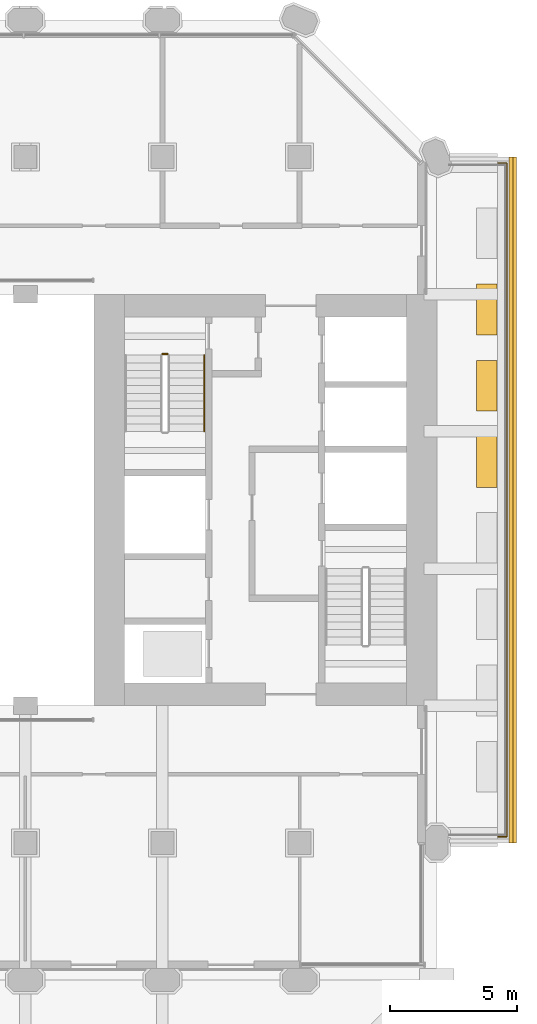
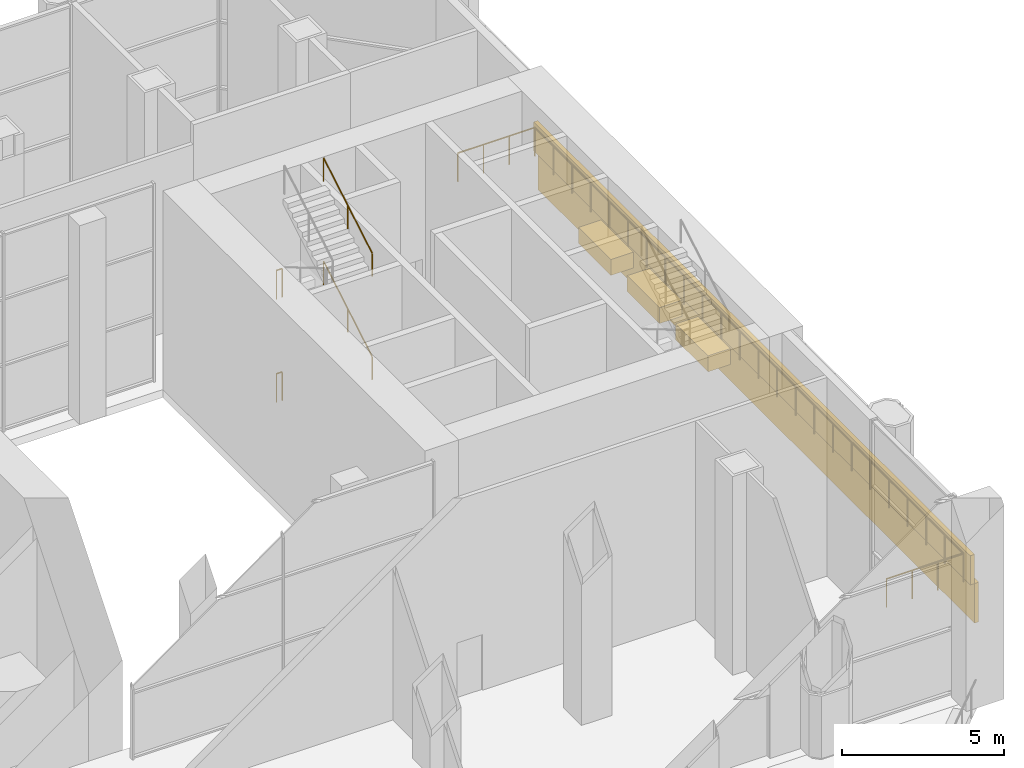
# One storey, part 17 of 20: 5 coverings, 5 railings.
"""IFC4 building model written with IfcOpenShell, lengths in metres."""

from ifc_helpers import new_model, si_unit, direction, frame, frame_2d, origin, origin_2d, place, context, subcontext, project, spatial, rectangle, circle, extrude, material, layer, layer_set, type_object, element, save


model = new_model("IFC4")

# Units and contexts
model_context = context("Model", 3, precision=1e-05, world=origin(), true_north=direction((0.0, 1.0)))
body_context = subcontext(model_context, "Body", "Model", "MODEL_VIEW")
ifc_project = project(units=[si_unit("LENGTHUNIT", "METRE"), si_unit("AREAUNIT", "SQUARE_METRE"), si_unit("VOLUMEUNIT", "CUBIC_METRE"), si_unit("PLANEANGLEUNIT", "RADIAN"), si_unit("MASSUNIT", "GRAM", prefix="KILO")], contexts=[model_context])

# Site, building, storey
site_placement = place(None, origin())
site = spatial("IfcSite", under=ifc_project, at=site_placement, CompositionType="ELEMENT")
building_placement = place(site_placement, origin())
building = spatial("IfcBuilding", under=site, at=building_placement, Name="Tabaq Tower and Sports Hall", CompositionType="ELEMENT")
storey_placement = place(building_placement, frame((0.0, 0.0, 130.60009765625)))
storey = spatial("IfcBuildingStorey", under=building, at=storey_placement, Name="L31", CompositionType="ELEMENT", Elevation=130.60009765625)

# Railing
ifc_material_1 = material(Name="Stainless steel S316 and laminated glass", Category="steel")
railing_type_1 = type_object("IfcRailingType", Name="Guard 1100 steel and glass", PredefinedType="GUARDRAIL", material=ifc_material_1)
railing_placement = place(storey_placement, frame((43.199951171875, 11.050048828125, 0.0)))
element("IfcRailing", 1, at=railing_placement, inside=storey, type_object=railing_type_1, Name="Tray guard L31", PredefinedType="GUARDRAIL", context=body_context, shape_type="SweptSolid", body=[
    extrude(circle(Radius=0.02490234375, at=origin_2d()), frame((0.0, 0.0, 1.0751953125), z_axis=(1.0, 0.0, 0.0), x_axis=(0.0, 1.0, 0.0)), (0.0, 0.0, 1.0), 2.75),
    extrude(circle(Radius=0.02490234375, at=origin_2d()), frame((2.75, 0.0, 1.0751953125), z_axis=(0.0, 1.0, 0.0), x_axis=(-1.0, 0.0, 0.0)), (0.0, 0.0, 1.0), 26.5),
    extrude(circle(Radius=0.02490234375, at=origin_2d()), frame((2.75, 26.5, 1.0751953125), z_axis=(-1.0, 0.0, 0.0), x_axis=(0.0, -1.0, 0.0)), (0.0, 0.0, 1.0), 2.75),
    extrude(circle(Radius=0.02001953125, at=origin_2d()), origin(), (0.0, 0.0, 1.0), 1.050048828125),
    extrude(circle(Radius=0.02001953125, at=origin_2d()), frame((0.916748046875, 0.0, 0.0)), (0.0, 0.0, 1.0), 1.050048828125),
    extrude(circle(Radius=0.02001953125, at=origin_2d()), frame((1.833251953125, 0.0, 0.0)), (0.0, 0.0, 1.0), 1.050048828125),
    extrude(circle(Radius=0.02001953125, at=origin_2d()), frame((2.75, 0.0, 0.0)), (0.0, 0.0, 1.0), 1.050048828125),
    extrude(circle(Radius=0.02001953125, at=origin_2d()), frame((2.75, 1.152099609375, 0.0)), (0.0, 0.0, 1.0), 1.050048828125),
    extrude(circle(Radius=0.02001953125, at=origin_2d()), frame((2.75, 2.304443359375, 0.0)), (0.0, 0.0, 1.0), 1.050048828125),
    extrude(circle(Radius=0.02001953125, at=origin_2d()), frame((2.75, 3.45654296875, 0.0)), (0.0, 0.0, 1.0), 1.050048828125),
    extrude(circle(Radius=0.02001953125, at=origin_2d()), frame((2.75, 4.608642578125, 0.0)), (0.0, 0.0, 1.0), 1.050048828125),
    extrude(circle(Radius=0.02001953125, at=origin_2d()), frame((2.75, 5.760986328125, 0.0)), (0.0, 0.0, 1.0), 1.050048828125),
    extrude(circle(Radius=0.02001953125, at=origin_2d()), frame((2.75, 6.9130859375, 0.0)), (0.0, 0.0, 1.0), 1.050048828125),
    extrude(circle(Radius=0.02001953125, at=origin_2d()), frame((2.75, 8.065185546875, 0.0)), (0.0, 0.0, 1.0), 1.050048828125),
    extrude(circle(Radius=0.02001953125, at=origin_2d()), frame((2.75, 9.21728515625, 0.0)), (0.0, 0.0, 1.0), 1.050048828125),
    extrude(circle(Radius=0.02001953125, at=origin_2d()), frame((2.75, 10.36962890625, 0.0)), (0.0, 0.0, 1.0), 1.050048828125),
    extrude(circle(Radius=0.02001953125, at=origin_2d()), frame((2.75, 11.521728515625, 0.0)), (0.0, 0.0, 1.0), 1.050048828125),
    extrude(circle(Radius=0.02001953125, at=origin_2d()), frame((2.75, 12.673828125, 0.0)), (0.0, 0.0, 1.0), 1.050048828125),
    extrude(circle(Radius=0.02001953125, at=origin_2d()), frame((2.75, 13.826171875, 0.0)), (0.0, 0.0, 1.0), 1.050048828125),
    extrude(circle(Radius=0.02001953125, at=origin_2d()), frame((2.75, 14.978271484375, 0.0)), (0.0, 0.0, 1.0), 1.050048828125),
    extrude(circle(Radius=0.02001953125, at=origin_2d()), frame((2.75, 16.13037109375, 0.0)), (0.0, 0.0, 1.0), 1.050048828125),
    extrude(circle(Radius=0.02001953125, at=origin_2d()), frame((2.75, 17.28271484375, 0.0)), (0.0, 0.0, 1.0), 1.050048828125),
    extrude(circle(Radius=0.02001953125, at=origin_2d()), frame((2.75, 18.434814453125, 0.0)), (0.0, 0.0, 1.0), 1.050048828125),
    extrude(circle(Radius=0.02001953125, at=origin_2d()), frame((2.75, 19.5869140625, 0.0)), (0.0, 0.0, 1.0), 1.050048828125),
    extrude(circle(Radius=0.02001953125, at=origin_2d()), frame((2.75, 20.739013671875, 0.0)), (0.0, 0.0, 1.0), 1.050048828125),
    extrude(circle(Radius=0.02001953125, at=origin_2d()), frame((2.75, 21.891357421875, 0.0)), (0.0, 0.0, 1.0), 1.050048828125),
    extrude(circle(Radius=0.02001953125, at=origin_2d()), frame((2.75, 23.04345703125, 0.0)), (0.0, 0.0, 1.0), 1.050048828125),
    extrude(circle(Radius=0.02001953125, at=origin_2d()), frame((2.75, 24.195556640625, 0.0)), (0.0, 0.0, 1.0), 1.050048828125),
    extrude(circle(Radius=0.02001953125, at=origin_2d()), frame((2.75, 25.347900390625, 0.0)), (0.0, 0.0, 1.0), 1.050048828125),
    extrude(circle(Radius=0.02001953125, at=origin_2d()), frame((2.75, 26.5, 0.0)), (0.0, 0.0, 1.0), 1.050048828125),
    extrude(circle(Radius=0.02001953125, at=origin_2d()), frame((1.833251953125, 26.5, 0.0)), (0.0, 0.0, 1.0), 1.050048828125),
    extrude(circle(Radius=0.02001953125, at=origin_2d()), frame((0.916748046875, 26.5, 0.0)), (0.0, 0.0, 1.0), 1.050048828125),
    extrude(circle(Radius=0.02001953125, at=origin_2d()), frame((0.0, 26.5, 0.0)), (0.0, 0.0, 1.0), 1.050048828125),
])

# Coverings
ifc_material_2 = material(Name="Planting soil and drainage layer")
covering_type_1 = type_object("IfcCoveringType", Name="Planter 2000x800x600", PredefinedType="USERDEFINED", material=ifc_material_2)
for number, where, z_axis, x_axis, name in (
    (2, (45.169921875, 25.800048828125, -0.000244140625), (0.0, 0.0, 1.0), (0.0, 1.0, 0.0), "Planter L31"),
    (3, (45.169921875, 28.800048828125, -0.000244140625), (0.0, 0.0, 1.0), (0.0, 1.0, 0.0), "Planter L31"),
    (4, (45.169921875, 31.800048828125, -0.000244140625), (0.0, 0.0, 1.0), (0.0, 1.0, 0.0), "Planter L31"),
):
    element("IfcCovering", number, at=place(storey_placement, frame(where, z_axis=z_axis, x_axis=x_axis)), inside=storey, type_object=covering_type_1, Name=name, ObjectType="PLANTER", PredefinedType="USERDEFINED", context=body_context, shape_type="SweptSolid", body=[
        extrude(rectangle(XDim=2.0, YDim=0.800048828125, at=origin_2d()), origin(), (0.0, 0.0, 1.0), 0.60009765625),
    ])

# Railings
ifc_material_3 = material(Name="Stainless steel", Category="steel")
railing_type_2 = type_object("IfcRailingType", Name="Stair guard", PredefinedType="GUARDRAIL", material=ifc_material_3)
for number, where, name in (
    (5, (32.39990234375, 30.050048828125, 3.89990234375), "L31 ST4 stair guard 4"),
    (6, (32.39990234375, 30.050048828125, 0.0), "L31 ST4 stair guard 8"),
):
    element("IfcRailing", number, at=place(storey_placement, frame(where)), inside=storey, type_object=railing_type_2, Name=name, PredefinedType="GUARDRAIL", context=body_context, shape_type="SweptSolid", body=[
        extrude(circle(Radius=0.02392578125, at=origin_2d()), frame((0.0, 0.0, 1.076171875), z_axis=(1.0, 0.0, 0.0), x_axis=(0.0, 1.0, 0.0)), (0.0, 0.0, 1.0), 0.2001953125),
        extrude(circle(Radius=0.02099609375, at=origin_2d()), origin(), (0.0, 0.0, 1.0), 1.052001953125),
        extrude(circle(Radius=0.02099609375, at=origin_2d()), frame((0.2001953125, 0.0, 0.0)), (0.0, 0.0, 1.0), 1.052001953125),
    ])
ifc_material_4 = material(Name="Stainless steel", Category="steel")
railing_type_3 = type_object("IfcRailingType", Name="Stair handrail", PredefinedType="HANDRAIL", material=ifc_material_4)
for number, where, name in (
    (7, (34.050048828125, 27.0, 2.127197265625), "L31 ST4 stair handrail 2"),
    (8, (34.050048828125, 27.0, 6.027099609375), "L31 ST4 stair handrail 4"),
):
    element("IfcRailing", number, at=place(storey_placement, frame(where)), inside=storey, type_object=railing_type_3, Name=name, PredefinedType="HANDRAIL", context=body_context, shape_type="SweptSolid", body=[
        extrude(circle(Radius=0.02392578125, at=origin_2d()), frame((0.0, 0.0, 0.8759765625), z_axis=(0.0, 0.86092931783, 0.508724591208), x_axis=(-1.0, 0.0, 0.0)), (0.0, 0.0, 1.0), 3.484619140625),
        extrude(circle(Radius=0.02099609375, at=origin_2d()), origin(), (0.0, 0.0, 1.0), 0.851806640625),
        extrude(circle(Radius=0.02099609375, at=origin_2d()), frame((0.0, 1.5, 0.88623046875)), (0.0, 0.0, 1.0), 0.851806640625),
        extrude(circle(Radius=0.02099609375, at=origin_2d()), frame((0.0, 3.0, 1.772705078125)), (0.0, 0.0, 1.0), 0.851806640625),
    ])

# Coverings
ifc_material_5 = material(Name="Precast concrete C60/75", Category="concrete")
ifc_layer_1 = layer(ifc_material_5, 0.14990234375)
ifc_layer_set_1 = layer_set([ifc_layer_1], Name="Tray fascia 1200")
covering_type_2 = type_object("IfcCoveringType", Name="Tray fascia 1200", PredefinedType="CLADDING", material=ifc_layer_set_1)
covering_1_placement = place(storey_placement, frame((46.27490234375, 10.800048828125, -1.5), z_axis=(0.0, 0.0, 1.0), x_axis=(0.0, 1.0, 0.0)))
element("IfcCovering", 9, at=covering_1_placement, inside=storey, type_object=covering_type_2, Name="Tray fascia L31 EBT", PredefinedType="CLADDING", context=body_context, shape_type="SweptSolid", body=[
    extrude(rectangle(XDim=27.0, YDim=0.14990234375, at=frame_2d((13.5, 0.0))), origin(), (0.0, 0.0, 1.0), 1.5),
])
ifc_material_6 = material(Name="Precast concrete C60/75", Category="concrete")
ifc_layer_2 = layer(ifc_material_6, 0.14990234375)
ifc_layer_set_2 = layer_set([ifc_layer_2], Name="Tray upstand cladding 1100")
covering_type_3 = type_object("IfcCoveringType", Name="Tray upstand cladding 1100", PredefinedType="CLADDING", material=ifc_layer_set_2)
covering_2_placement = place(storey_placement, frame((46.125, 10.800048828125, 0.0), z_axis=(0.0, 0.0, 1.0), x_axis=(0.0, 1.0, 0.0)))
element("IfcCovering", 10, at=covering_2_placement, inside=storey, type_object=covering_type_3, Name="Tray upstand cladding L31", PredefinedType="CLADDING", context=body_context, shape_type="SweptSolid", body=[
    extrude(rectangle(XDim=27.0, YDim=0.14990234375, at=frame_2d((13.5, 0.0))), origin(), (0.0, 0.0, 1.0), 1.099853515625),
])

save(model, "model.ifc")
